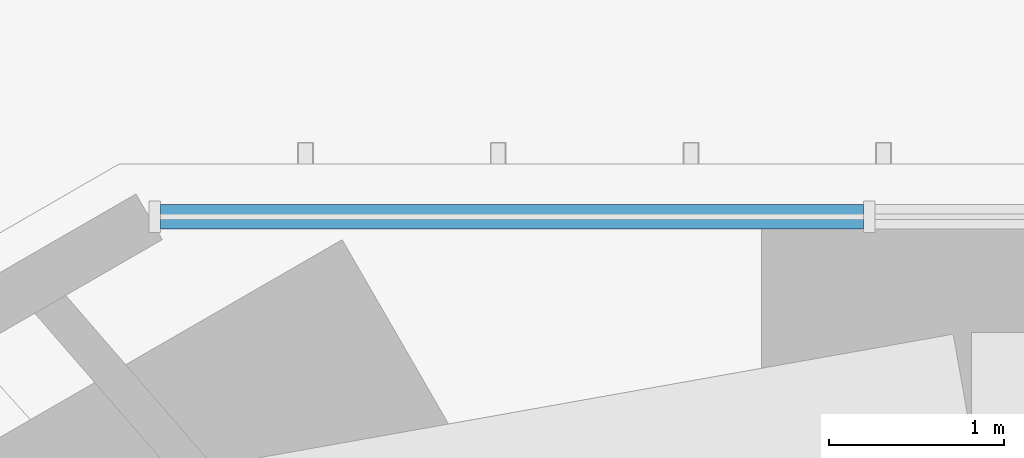
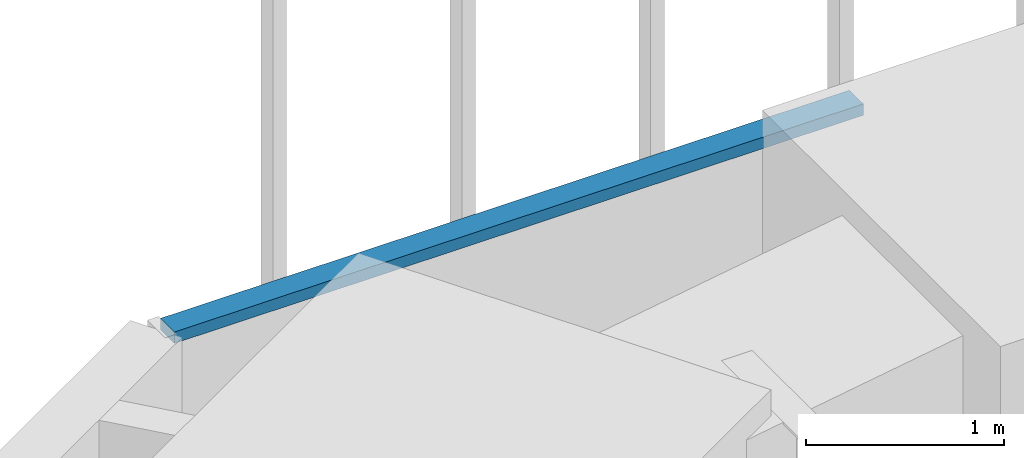
# One storey, part 150 of 238: 1 member, 1 element without a shape of its own.
"""IFC4 building model written with IfcOpenShell, lengths in metres."""

from ifc_helpers import new_model, si_unit, direction, frame, origin, origin_2d, place, context, subcontext, project, spatial, rectangle, extrude, material, material_profile, profile_set, type_object, element, aggregate, save


model = new_model("IFC4")

# Units and contexts
model_context = context("Model", 3, precision=1e-05, world=origin(), true_north=direction((0.0, 1.0)))
body_context = subcontext(model_context, "Body", "Model", "MODEL_VIEW")
ifc_project = project(units=[si_unit("LENGTHUNIT", "METRE"), si_unit("AREAUNIT", "SQUARE_METRE"), si_unit("VOLUMEUNIT", "CUBIC_METRE"), si_unit("PLANEANGLEUNIT", "RADIAN"), si_unit("MASSUNIT", "GRAM", prefix="KILO")], contexts=[model_context])

# Site, building, storey
site_placement = place(None, origin())
site = spatial("IfcSite", under=ifc_project, at=site_placement, CompositionType="ELEMENT")
building_placement = place(site_placement, origin())
building = spatial("IfcBuilding", under=site, at=building_placement, Name="Sandreach Pilgrim Tower", CompositionType="ELEMENT")
storey_placement = place(building_placement, frame((0.0, 0.0, 96.800048828125)))
storey = spatial("IfcBuildingStorey", under=building, at=storey_placement, Name="L23", CompositionType="ELEMENT", Elevation=96.800048828125)

# Curtain wall, member
ifc_material_1 = material(Name="Aluminium framed curtain wall", Category="aluminium")
curtain_wall_type = type_object("IfcCurtainWallType", Name="Hotel tower curtain wall", PredefinedType="NOTDEFINED", material=ifc_material_1)
curtain_wall_placement = place(storey_placement, origin())
curtain_wall = element("IfcCurtainWall", 1, at=curtain_wall_placement, inside=storey, type_object=curtain_wall_type, Name="CW-2 L23 N", PredefinedType="NOTDEFINED")
ifc_material_2 = material(Name="Aluminium extrusion", Category="aluminium")
ifc_material_profile = material_profile(ifc_material_2, rectangle(XDim=0.139892578125, YDim=0.070068359375, at=origin_2d()), Name="CW-2T 140X70")
ifc_profile_set = profile_set([ifc_material_profile], Name="Aluminium extrusion")
member_type = type_object("IfcMemberType", Name="CW-2 transom", PredefinedType="USERDEFINED", material=ifc_profile_set)
member_placement = place(storey_placement, frame((-18.416259765625, 22.493896484375, 3.60498046875), z_axis=(1.0, 0.0, 0.0), x_axis=(0.0, 1.0, 0.0)))
member = element("IfcMember", 2, at=member_placement, type_object=member_type, Name="CW-2 head transom 1", ObjectType="TRANSOM", PredefinedType="USERDEFINED", context=body_context, shape_type="SweptSolid", body=[
    extrude(rectangle(XDim=0.139892578125, YDim=0.070068359375, at=origin_2d()), origin(), (0.0, 0.0, 1.0), 4.00927734375),
])
aggregate(curtain_wall, [member])

save(model, "model.ifc")
